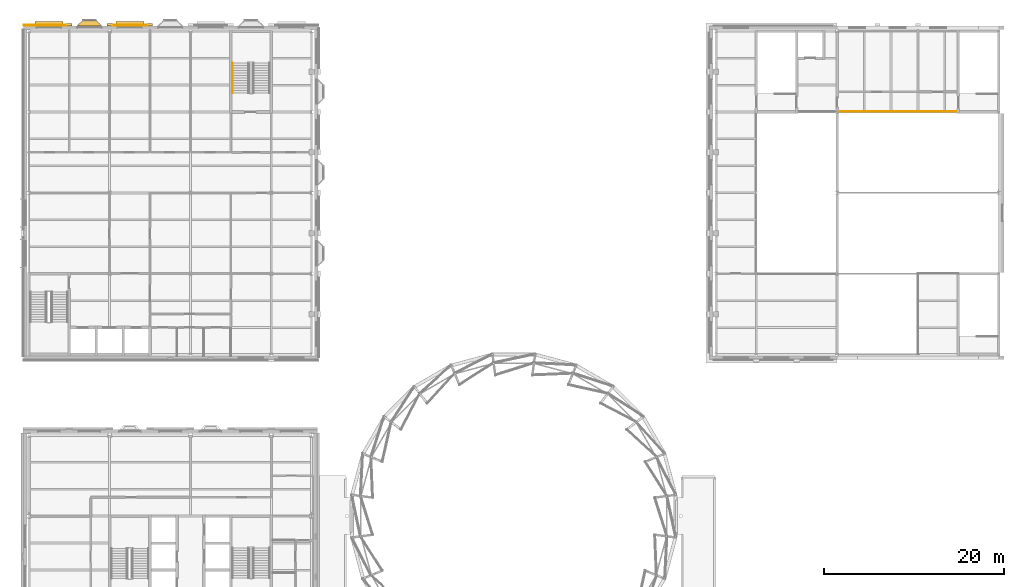
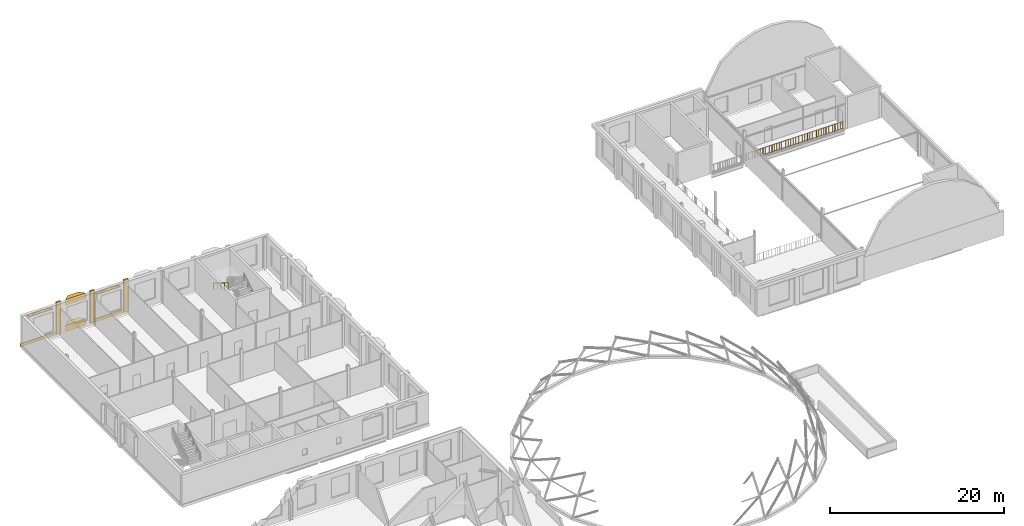
# One storey, part 57 of 59: 9 coverings, 2 railings, 2 shading devices.
"""IFC4 building model written with IfcOpenShell, lengths in metres."""

from ifc_helpers import new_model, si_unit, direction, frame, origin, origin_2d, place, context, subcontext, project, spatial, polyline, rectangle, circle, outline, extrude, material, layer, layer_set, type_object, element, save


model = new_model("IFC4")

# Units and contexts
model_context = context("Model", 3, precision=1e-05, world=origin(), true_north=direction((0.0, 1.0)))
body_context = subcontext(model_context, "Body", "Model", "MODEL_VIEW")
ifc_project = project(units=[si_unit("LENGTHUNIT", "METRE"), si_unit("AREAUNIT", "SQUARE_METRE"), si_unit("VOLUMEUNIT", "CUBIC_METRE"), si_unit("PLANEANGLEUNIT", "RADIAN"), si_unit("MASSUNIT", "GRAM", prefix="KILO")], contexts=[model_context])

# Site, building, storey
site_placement = place(None, origin())
site = spatial("IfcSite", under=ifc_project, at=site_placement, CompositionType="ELEMENT")
building_placement = place(site_placement, origin())
building = spatial("IfcBuilding", under=site, at=building_placement, Name="Hortulan Conservatory and Botanical Research Centre", CompositionType="ELEMENT")
storey_placement = place(building_placement, frame((0.0, 0.0, 10.5)))
storey = spatial("IfcBuildingStorey", under=building, at=storey_placement, Name="L02", CompositionType="ELEMENT", Elevation=10.5)

# Shading devices
ifc_material_1 = material(Name="Bronze-finished perforated aluminium", Category="aluminium")
ifc_layer_1 = layer(ifc_material_1, 0.06005859375)
ifc_layer_set_1 = layer_set([ifc_layer_1], Name="Catenary Hood 3100x500x60")
shading_device_type = type_object("IfcShadingDeviceType", Name="Catenary Hood 3100x500x60", PredefinedType="USERDEFINED", material=ifc_layer_set_1)
for number, where, z_axis, x_axis, name in (
    (1, (2.25, 72.83544921875, 3.7099609375), (0.0, 0.0, 1.0), (1.0, 0.0, 0.0), "Catenary hood"),
    (2, (11.25, 72.83544921875, 3.7099609375), (0.0, 0.0, 1.0), (1.0, 0.0, 0.0), "Catenary hood"),
):
    element("IfcShadingDevice", number, at=place(storey_placement, frame(where, z_axis=z_axis, x_axis=x_axis)), inside=storey, type_object=shading_device_type, Name=name, ObjectType="Catenary hood", PredefinedType="USERDEFINED", context=body_context, shape_type="SweptSolid", body=[
        extrude(rectangle(XDim=3.10009765625, YDim=0.5, at=origin_2d()), origin(), (0.0, 0.0, 1.0), 0.06005859375),
    ])

# Coverings
ifc_material_2 = material(Name="Faience cladding, waratah crimson glaze (non-combustible)", Category="ceramic")
ifc_layer_2 = layer(ifc_material_2, 0.030029296875)
ifc_layer_set_2 = layer_set([ifc_layer_2], Name="Faience Ogee Head Panel Crimson 2700x500")
covering_type_1 = type_object("IfcCoveringType", Name="Faience Ogee Head Panel Crimson 2700x500", PredefinedType="CLADDING", material=ifc_layer_set_2)
covering_1_placement = place(storey_placement, frame((9.89990234375, 72.6005859375, 3.820068359375), z_axis=(0.0, 0.0, 1.0), x_axis=(1.0, 0.0, 0.0)))
element("IfcCovering", 3, at=covering_1_placement, inside=storey, type_object=covering_type_1, Name="Ogee head panel", PredefinedType="CLADDING", context=body_context, shape_type="SweptSolid", body=[
    extrude(outline(polyline([(0.0, 0.0), (2.699951171875, 0.0), (2.699951171875, 0.079833984375), (2.58740234375, 0.1484375), (2.47509765625, 0.208251953125), (2.362548828125, 0.252197265625), (2.25, 0.278076171875), (2.137451171875, 0.28857421875), (2.02490234375, 0.2900390625), (1.91259765625, 0.291259765625), (1.800048828125, 0.3017578125), (1.6875, 0.32763671875), (1.574951171875, 0.371826171875), (1.46240234375, 0.431396484375), (1.35009765625, 0.5), (1.237548828125, 0.431396484375), (1.125, 0.371826171875), (1.012451171875, 0.32763671875), (0.89990234375, 0.3017578125), (0.78759765625, 0.291259765625), (0.675048828125, 0.2900390625), (0.5625, 0.28857421875), (0.449951171875, 0.278076171875), (0.33740234375, 0.252197265625), (0.22509765625, 0.208251953125), (0.112548828125, 0.1484375), (0.0, 0.079833984375), (0.0, 0.0)])), frame((0.0, 0.01513671875, 0.0), z_axis=(0.0, -1.0, 0.0), x_axis=(1.0, 0.0, 0.0)), (0.0, 0.0, 1.0), 0.030029296875),
])
ifc_material_3 = material(Name="Faience cladding, harbour teal glaze (non-combustible)", Category="ceramic")
ifc_layer_3 = layer(ifc_material_3, 0.030029296875)
ifc_layer_set_3 = layer_set([ifc_layer_3], Name="Faience Ogee Head Panel Teal 2700x500")
covering_type_2 = type_object("IfcCoveringType", Name="Faience Ogee Head Panel Teal 2700x500", PredefinedType="CLADDING", material=ifc_layer_set_3)
covering_2_placement = place(storey_placement, frame((0.89990234375, 72.6005859375, 3.820068359375), z_axis=(0.0, 0.0, 1.0), x_axis=(1.0, 0.0, 0.0)))
element("IfcCovering", 4, at=covering_2_placement, inside=storey, type_object=covering_type_2, Name="Ogee head panel", PredefinedType="CLADDING", context=body_context, shape_type="SweptSolid", body=[
    extrude(outline(polyline([(0.0, 0.0), (2.699951171875, 0.0), (2.699951171875, 0.079833984375), (2.58740234375, 0.1484375), (2.47509765625, 0.208251953125), (2.362548828125, 0.252197265625), (2.25, 0.278076171875), (2.137451171875, 0.28857421875), (2.02490234375, 0.2900390625), (1.91259765625, 0.291259765625), (1.800048828125, 0.3017578125), (1.6875, 0.32763671875), (1.574951171875, 0.371826171875), (1.46240234375, 0.431396484375), (1.35009765625, 0.5), (1.237548828125, 0.431396484375), (1.125, 0.371826171875), (1.012451171875, 0.32763671875), (0.89990234375, 0.3017578125), (0.78759765625, 0.291259765625), (0.675048828125, 0.2900390625), (0.5625, 0.28857421875), (0.449951171875, 0.278076171875), (0.33740234375, 0.252197265625), (0.22509765625, 0.208251953125), (0.112548828125, 0.1484375), (0.0, 0.079833984375), (0.0, 0.0)])), frame((0.0, 0.01513671875, 0.0), z_axis=(0.0, -1.0, 0.0), x_axis=(1.0, 0.0, 0.0)), (0.0, 0.0, 1.0), 0.030029296875),
])
ifc_material_4 = material(Name="Faience-faced brickwork masonry", Category="masonry")
covering_type_3 = type_object("IfcCoveringType", Name="Faience Oriel Base", PredefinedType="CLADDING", material=ifc_material_4)
covering_3_placement = place(storey_placement, origin())
element("IfcCovering", 5, at=covering_3_placement, inside=storey, type_object=covering_type_3, Name="Oriel base", PredefinedType="CLADDING", context=body_context, shape_type="SweptSolid", body=[
    extrude(outline(polyline([(5.39990234375, 72.58544921875), (6.0, 73.185546875), (7.5, 73.185546875), (8.10009765625, 72.58544921875), (5.39990234375, 72.58544921875)])), origin(), (0.0, 0.0, 1.0), 0.89990234375),
])
covering_type_4 = type_object("IfcCoveringType", Name="Faience Oriel Frieze", PredefinedType="CLADDING", material=ifc_material_4)
covering_4_placement = place(storey_placement, frame((0.0, 0.0, 3.699951171875)))
element("IfcCovering", 6, at=covering_4_placement, inside=storey, type_object=covering_type_4, Name="Oriel frieze", PredefinedType="CLADDING", context=body_context, shape_type="SweptSolid", body=[
    extrude(outline(polyline([(5.39990234375, 72.58544921875), (6.0, 73.185546875), (7.5, 73.185546875), (8.10009765625, 72.58544921875), (5.39990234375, 72.58544921875)])), origin(), (0.0, 0.0, 1.0), 0.800048828125),
])
ifc_material_5 = material(Name="Faience cladding, cream glaze (non-combustible)", Category="ceramic")
ifc_layer_4 = layer(ifc_material_5, 0.25)
ifc_layer_set_4 = layer_set([ifc_layer_4], Name="Faience Pilaster 600x250")
covering_type_5 = type_object("IfcCoveringType", Name="Faience Pilaster 600x250", PredefinedType="CLADDING", material=ifc_layer_set_4)
for number, where, z_axis, x_axis, name in (
    (7, (4.5, 72.71044921875, 0.0), (0.0, 0.0, 1.0), (1.0, 0.0, 0.0), "Pier"),
    (8, (9.0, 72.71044921875, 0.0), (0.0, 0.0, 1.0), (1.0, 0.0, 0.0), "Pier"),
    (9, (13.5, 72.71044921875, 0.0), (0.0, 0.0, 1.0), (1.0, 0.0, 0.0), "Pier"),
):
    element("IfcCovering", number, at=place(storey_placement, frame(where, z_axis=z_axis, x_axis=x_axis)), inside=storey, type_object=covering_type_5, Name=name, PredefinedType="CLADDING", context=body_context, shape_type="SweptSolid", body=[
        extrude(rectangle(XDim=0.60009765625, YDim=0.25, at=origin_2d()), origin(), (0.0, 0.0, 1.0), 4.5),
    ])
ifc_layer_5 = layer(ifc_material_3, 0.10009765625)
ifc_layer_set_5 = layer_set([ifc_layer_5], Name="Faience String Course 400x100 Teal")
covering_type_6 = type_object("IfcCoveringType", Name="Faience String Course 400x100 Teal", PredefinedType="CLADDING", material=ifc_layer_set_5)
covering_5_placement = place(storey_placement, frame((1.80029296875, 72.635498046875, 0.0), z_axis=(0.0, 0.0, 1.0), x_axis=(1.0, 0.0, 0.0)))
element("IfcCovering", 10, at=covering_5_placement, inside=storey, type_object=covering_type_6, Name="String course", PredefinedType="CLADDING", context=body_context, shape_type="SweptSolid", body=[
    extrude(rectangle(XDim=4.759521484375, YDim=0.10009765625, at=origin_2d()), origin(), (0.0, 0.0, 1.0), 0.39990234375),
])
covering_6_placement = place(storey_placement, frame((11.25, 72.635498046875, 0.0), z_axis=(0.0, 0.0, 1.0), x_axis=(1.0, 0.0, 0.0)))
element("IfcCovering", 11, at=covering_6_placement, inside=storey, type_object=covering_type_6, Name="String course", PredefinedType="CLADDING", context=body_context, shape_type="SweptSolid", body=[
    extrude(rectangle(XDim=3.860107421875, YDim=0.10009765625, at=origin_2d()), origin(), (0.0, 0.0, 1.0), 0.39990234375),
])

# Railings
ifc_material_6 = material(Name="Wrought iron guard, bronze-charcoal paint", Category="metal")
railing_type_1 = type_object("IfcRailingType", Name="Ironwork Void Guard 1100", PredefinedType="GUARDRAIL", material=ifc_material_6)
railing_1_placement = place(storey_placement, frame((90.19677734375, 63.06005859375, 0.0)))
element("IfcRailing", 12, at=railing_1_placement, inside=storey, type_object=railing_type_1, Name="Guard L02 Aud Hall L02 1 11", PredefinedType="GUARDRAIL", context=body_context, shape_type="SweptSolid", body=[
    extrude(circle(Radius=0.02392578125, at=origin_2d()), frame((0.0, 0.0, 1.076171875), z_axis=(1.0, 0.0, 0.0), x_axis=(0.0, 1.0, 0.0)), (0.0, 0.0, 1.0), 13.033203125),
    extrude(circle(Radius=0.02392578125, at=origin_2d()), frame((0.0, 0.0, 0.1240234375), z_axis=(1.0, 0.0, 0.0), x_axis=(0.0, 1.0, 0.0)), (0.0, 0.0, 1.0), 13.033203125),
    extrude(circle(Radius=0.008056640625, at=origin_2d()), frame((0.109619140625, 0.0, 0.148193359375)), (0.0, 0.0, 1.0), 0.90380859375),
    extrude(circle(Radius=0.008056640625, at=origin_2d()), frame((0.218994140625, 0.0, 0.148193359375)), (0.0, 0.0, 1.0), 0.90380859375),
    extrude(circle(Radius=0.008056640625, at=origin_2d()), frame((0.32861328125, 0.0, 0.148193359375)), (0.0, 0.0, 1.0), 0.90380859375),
    extrude(circle(Radius=0.008056640625, at=origin_2d()), frame((0.43798828125, 0.0, 0.148193359375)), (0.0, 0.0, 1.0), 0.90380859375),
    extrude(circle(Radius=0.008056640625, at=origin_2d()), frame((0.547607421875, 0.0, 0.148193359375)), (0.0, 0.0, 1.0), 0.90380859375),
    extrude(circle(Radius=0.008056640625, at=origin_2d()), frame((0.6572265625, 0.0, 0.148193359375)), (0.0, 0.0, 1.0), 0.90380859375),
    extrude(circle(Radius=0.008056640625, at=origin_2d()), frame((0.7666015625, 0.0, 0.148193359375)), (0.0, 0.0, 1.0), 0.90380859375),
    extrude(circle(Radius=0.008056640625, at=origin_2d()), frame((0.876220703125, 0.0, 0.148193359375)), (0.0, 0.0, 1.0), 0.90380859375),
    extrude(circle(Radius=0.008056640625, at=origin_2d()), frame((0.985595703125, 0.0, 0.148193359375)), (0.0, 0.0, 1.0), 0.90380859375),
    extrude(circle(Radius=0.008056640625, at=origin_2d()), frame((1.09521484375, 0.0, 0.148193359375)), (0.0, 0.0, 1.0), 0.90380859375),
    extrude(circle(Radius=0.008056640625, at=origin_2d()), frame((1.204833984375, 0.0, 0.148193359375)), (0.0, 0.0, 1.0), 0.90380859375),
    extrude(circle(Radius=0.008056640625, at=origin_2d()), frame((1.314208984375, 0.0, 0.148193359375)), (0.0, 0.0, 1.0), 0.90380859375),
    extrude(circle(Radius=0.008056640625, at=origin_2d()), frame((1.423828125, 0.0, 0.148193359375)), (0.0, 0.0, 1.0), 0.90380859375),
    extrude(circle(Radius=0.008056640625, at=origin_2d()), frame((1.533203125, 0.0, 0.148193359375)), (0.0, 0.0, 1.0), 0.90380859375),
    extrude(circle(Radius=0.008056640625, at=origin_2d()), frame((1.642822265625, 0.0, 0.148193359375)), (0.0, 0.0, 1.0), 0.90380859375),
    extrude(circle(Radius=0.008056640625, at=origin_2d()), frame((1.75244140625, 0.0, 0.148193359375)), (0.0, 0.0, 1.0), 0.90380859375),
    extrude(circle(Radius=0.008056640625, at=origin_2d()), frame((1.86181640625, 0.0, 0.148193359375)), (0.0, 0.0, 1.0), 0.90380859375),
    extrude(circle(Radius=0.008056640625, at=origin_2d()), frame((1.971435546875, 0.0, 0.148193359375)), (0.0, 0.0, 1.0), 0.90380859375),
    extrude(circle(Radius=0.008056640625, at=origin_2d()), frame((2.080810546875, 0.0, 0.148193359375)), (0.0, 0.0, 1.0), 0.90380859375),
    extrude(circle(Radius=0.008056640625, at=origin_2d()), frame((2.1904296875, 0.0, 0.148193359375)), (0.0, 0.0, 1.0), 0.90380859375),
    extrude(circle(Radius=0.008056640625, at=origin_2d()), frame((2.300048828125, 0.0, 0.148193359375)), (0.0, 0.0, 1.0), 0.90380859375),
    extrude(circle(Radius=0.008056640625, at=origin_2d()), frame((2.409423828125, 0.0, 0.148193359375)), (0.0, 0.0, 1.0), 0.90380859375),
    extrude(circle(Radius=0.008056640625, at=origin_2d()), frame((2.51904296875, 0.0, 0.148193359375)), (0.0, 0.0, 1.0), 0.90380859375),
    extrude(circle(Radius=0.008056640625, at=origin_2d()), frame((2.628662109375, 0.0, 0.148193359375)), (0.0, 0.0, 1.0), 0.90380859375),
    extrude(circle(Radius=0.008056640625, at=origin_2d()), frame((2.738037109375, 0.0, 0.148193359375)), (0.0, 0.0, 1.0), 0.90380859375),
    extrude(circle(Radius=0.008056640625, at=origin_2d()), frame((2.84765625, 0.0, 0.148193359375)), (0.0, 0.0, 1.0), 0.90380859375),
    extrude(circle(Radius=0.008056640625, at=origin_2d()), frame((2.95703125, 0.0, 0.148193359375)), (0.0, 0.0, 1.0), 0.90380859375),
    extrude(circle(Radius=0.008056640625, at=origin_2d()), frame((3.066650390625, 0.0, 0.148193359375)), (0.0, 0.0, 1.0), 0.90380859375),
    extrude(circle(Radius=0.008056640625, at=origin_2d()), frame((3.17626953125, 0.0, 0.148193359375)), (0.0, 0.0, 1.0), 0.90380859375),
    extrude(circle(Radius=0.008056640625, at=origin_2d()), frame((3.28564453125, 0.0, 0.148193359375)), (0.0, 0.0, 1.0), 0.90380859375),
    extrude(circle(Radius=0.008056640625, at=origin_2d()), frame((3.395263671875, 0.0, 0.148193359375)), (0.0, 0.0, 1.0), 0.90380859375),
    extrude(circle(Radius=0.008056640625, at=origin_2d()), frame((3.504638671875, 0.0, 0.148193359375)), (0.0, 0.0, 1.0), 0.90380859375),
    extrude(circle(Radius=0.008056640625, at=origin_2d()), frame((3.6142578125, 0.0, 0.148193359375)), (0.0, 0.0, 1.0), 0.90380859375),
    extrude(circle(Radius=0.008056640625, at=origin_2d()), frame((3.723876953125, 0.0, 0.148193359375)), (0.0, 0.0, 1.0), 0.90380859375),
    extrude(circle(Radius=0.008056640625, at=origin_2d()), frame((3.833251953125, 0.0, 0.148193359375)), (0.0, 0.0, 1.0), 0.90380859375),
    extrude(circle(Radius=0.008056640625, at=origin_2d()), frame((3.94287109375, 0.0, 0.148193359375)), (0.0, 0.0, 1.0), 0.90380859375),
    extrude(circle(Radius=0.008056640625, at=origin_2d()), frame((4.05224609375, 0.0, 0.148193359375)), (0.0, 0.0, 1.0), 0.90380859375),
    extrude(circle(Radius=0.008056640625, at=origin_2d()), frame((4.161865234375, 0.0, 0.148193359375)), (0.0, 0.0, 1.0), 0.90380859375),
    extrude(circle(Radius=0.008056640625, at=origin_2d()), frame((4.271484375, 0.0, 0.148193359375)), (0.0, 0.0, 1.0), 0.90380859375),
    extrude(circle(Radius=0.008056640625, at=origin_2d()), frame((4.380859375, 0.0, 0.148193359375)), (0.0, 0.0, 1.0), 0.90380859375),
    extrude(circle(Radius=0.008056640625, at=origin_2d()), frame((4.490478515625, 0.0, 0.148193359375)), (0.0, 0.0, 1.0), 0.90380859375),
    extrude(circle(Radius=0.008056640625, at=origin_2d()), frame((4.599853515625, 0.0, 0.148193359375)), (0.0, 0.0, 1.0), 0.90380859375),
    extrude(circle(Radius=0.008056640625, at=origin_2d()), frame((4.70947265625, 0.0, 0.148193359375)), (0.0, 0.0, 1.0), 0.90380859375),
    extrude(circle(Radius=0.008056640625, at=origin_2d()), frame((4.819091796875, 0.0, 0.148193359375)), (0.0, 0.0, 1.0), 0.90380859375),
    extrude(circle(Radius=0.008056640625, at=origin_2d()), frame((4.928466796875, 0.0, 0.148193359375)), (0.0, 0.0, 1.0), 0.90380859375),
    extrude(circle(Radius=0.008056640625, at=origin_2d()), frame((5.0380859375, 0.0, 0.148193359375)), (0.0, 0.0, 1.0), 0.90380859375),
    extrude(circle(Radius=0.008056640625, at=origin_2d()), frame((5.1474609375, 0.0, 0.148193359375)), (0.0, 0.0, 1.0), 0.90380859375),
    extrude(circle(Radius=0.008056640625, at=origin_2d()), frame((5.257080078125, 0.0, 0.148193359375)), (0.0, 0.0, 1.0), 0.90380859375),
    extrude(circle(Radius=0.008056640625, at=origin_2d()), frame((5.36669921875, 0.0, 0.148193359375)), (0.0, 0.0, 1.0), 0.90380859375),
    extrude(circle(Radius=0.008056640625, at=origin_2d()), frame((5.47607421875, 0.0, 0.148193359375)), (0.0, 0.0, 1.0), 0.90380859375),
    extrude(circle(Radius=0.008056640625, at=origin_2d()), frame((5.585693359375, 0.0, 0.148193359375)), (0.0, 0.0, 1.0), 0.90380859375),
    extrude(circle(Radius=0.008056640625, at=origin_2d()), frame((5.695068359375, 0.0, 0.148193359375)), (0.0, 0.0, 1.0), 0.90380859375),
    extrude(circle(Radius=0.008056640625, at=origin_2d()), frame((5.8046875, 0.0, 0.148193359375)), (0.0, 0.0, 1.0), 0.90380859375),
    extrude(circle(Radius=0.008056640625, at=origin_2d()), frame((5.914306640625, 0.0, 0.148193359375)), (0.0, 0.0, 1.0), 0.90380859375),
    extrude(circle(Radius=0.008056640625, at=origin_2d()), frame((6.023681640625, 0.0, 0.148193359375)), (0.0, 0.0, 1.0), 0.90380859375),
    extrude(circle(Radius=0.008056640625, at=origin_2d()), frame((6.13330078125, 0.0, 0.148193359375)), (0.0, 0.0, 1.0), 0.90380859375),
    extrude(circle(Radius=0.008056640625, at=origin_2d()), frame((6.24267578125, 0.0, 0.148193359375)), (0.0, 0.0, 1.0), 0.90380859375),
    extrude(circle(Radius=0.008056640625, at=origin_2d()), frame((6.352294921875, 0.0, 0.148193359375)), (0.0, 0.0, 1.0), 0.90380859375),
    extrude(circle(Radius=0.008056640625, at=origin_2d()), frame((6.4619140625, 0.0, 0.148193359375)), (0.0, 0.0, 1.0), 0.90380859375),
    extrude(circle(Radius=0.008056640625, at=origin_2d()), frame((6.5712890625, 0.0, 0.148193359375)), (0.0, 0.0, 1.0), 0.90380859375),
    extrude(circle(Radius=0.008056640625, at=origin_2d()), frame((6.680908203125, 0.0, 0.148193359375)), (0.0, 0.0, 1.0), 0.90380859375),
    extrude(circle(Radius=0.008056640625, at=origin_2d()), frame((6.79052734375, 0.0, 0.148193359375)), (0.0, 0.0, 1.0), 0.90380859375),
    extrude(circle(Radius=0.008056640625, at=origin_2d()), frame((6.89990234375, 0.0, 0.148193359375)), (0.0, 0.0, 1.0), 0.90380859375),
    extrude(circle(Radius=0.008056640625, at=origin_2d()), frame((7.009521484375, 0.0, 0.148193359375)), (0.0, 0.0, 1.0), 0.90380859375),
    extrude(circle(Radius=0.008056640625, at=origin_2d()), frame((7.118896484375, 0.0, 0.148193359375)), (0.0, 0.0, 1.0), 0.90380859375),
    extrude(circle(Radius=0.008056640625, at=origin_2d()), frame((7.228515625, 0.0, 0.148193359375)), (0.0, 0.0, 1.0), 0.90380859375),
    extrude(circle(Radius=0.008056640625, at=origin_2d()), frame((7.338134765625, 0.0, 0.148193359375)), (0.0, 0.0, 1.0), 0.90380859375),
    extrude(circle(Radius=0.008056640625, at=origin_2d()), frame((7.447509765625, 0.0, 0.148193359375)), (0.0, 0.0, 1.0), 0.90380859375),
    extrude(circle(Radius=0.008056640625, at=origin_2d()), frame((7.55712890625, 0.0, 0.148193359375)), (0.0, 0.0, 1.0), 0.90380859375),
    extrude(circle(Radius=0.008056640625, at=origin_2d()), frame((7.66650390625, 0.0, 0.148193359375)), (0.0, 0.0, 1.0), 0.90380859375),
    extrude(circle(Radius=0.008056640625, at=origin_2d()), frame((7.776123046875, 0.0, 0.148193359375)), (0.0, 0.0, 1.0), 0.90380859375),
    extrude(circle(Radius=0.008056640625, at=origin_2d()), frame((7.8857421875, 0.0, 0.148193359375)), (0.0, 0.0, 1.0), 0.90380859375),
    extrude(circle(Radius=0.008056640625, at=origin_2d()), frame((7.9951171875, 0.0, 0.148193359375)), (0.0, 0.0, 1.0), 0.90380859375),
    extrude(circle(Radius=0.008056640625, at=origin_2d()), frame((8.104736328125, 0.0, 0.148193359375)), (0.0, 0.0, 1.0), 0.90380859375),
    extrude(circle(Radius=0.008056640625, at=origin_2d()), frame((8.214111328125, 0.0, 0.148193359375)), (0.0, 0.0, 1.0), 0.90380859375),
    extrude(circle(Radius=0.008056640625, at=origin_2d()), frame((8.32373046875, 0.0, 0.148193359375)), (0.0, 0.0, 1.0), 0.90380859375),
    extrude(circle(Radius=0.008056640625, at=origin_2d()), frame((8.433349609375, 0.0, 0.148193359375)), (0.0, 0.0, 1.0), 0.90380859375),
    extrude(circle(Radius=0.008056640625, at=origin_2d()), frame((8.542724609375, 0.0, 0.148193359375)), (0.0, 0.0, 1.0), 0.90380859375),
    extrude(circle(Radius=0.008056640625, at=origin_2d()), frame((8.65234375, 0.0, 0.148193359375)), (0.0, 0.0, 1.0), 0.90380859375),
    extrude(circle(Radius=0.008056640625, at=origin_2d()), frame((8.76171875, 0.0, 0.148193359375)), (0.0, 0.0, 1.0), 0.90380859375),
    extrude(circle(Radius=0.008056640625, at=origin_2d()), frame((8.871337890625, 0.0, 0.148193359375)), (0.0, 0.0, 1.0), 0.90380859375),
    extrude(circle(Radius=0.008056640625, at=origin_2d()), frame((8.98095703125, 0.0, 0.148193359375)), (0.0, 0.0, 1.0), 0.90380859375),
    extrude(circle(Radius=0.008056640625, at=origin_2d()), frame((9.09033203125, 0.0, 0.148193359375)), (0.0, 0.0, 1.0), 0.90380859375),
    extrude(circle(Radius=0.008056640625, at=origin_2d()), frame((9.199951171875, 0.0, 0.148193359375)), (0.0, 0.0, 1.0), 0.90380859375),
    extrude(circle(Radius=0.008056640625, at=origin_2d()), frame((9.309326171875, 0.0, 0.148193359375)), (0.0, 0.0, 1.0), 0.90380859375),
    extrude(circle(Radius=0.008056640625, at=origin_2d()), frame((9.4189453125, 0.0, 0.148193359375)), (0.0, 0.0, 1.0), 0.90380859375),
    extrude(circle(Radius=0.008056640625, at=origin_2d()), frame((9.528564453125, 0.0, 0.148193359375)), (0.0, 0.0, 1.0), 0.90380859375),
    extrude(circle(Radius=0.008056640625, at=origin_2d()), frame((9.637939453125, 0.0, 0.148193359375)), (0.0, 0.0, 1.0), 0.90380859375),
    extrude(circle(Radius=0.008056640625, at=origin_2d()), frame((9.74755859375, 0.0, 0.148193359375)), (0.0, 0.0, 1.0), 0.90380859375),
    extrude(circle(Radius=0.008056640625, at=origin_2d()), frame((9.85693359375, 0.0, 0.148193359375)), (0.0, 0.0, 1.0), 0.90380859375),
    extrude(circle(Radius=0.008056640625, at=origin_2d()), frame((9.966552734375, 0.0, 0.148193359375)), (0.0, 0.0, 1.0), 0.90380859375),
    extrude(circle(Radius=0.008056640625, at=origin_2d()), frame((10.076171875, 0.0, 0.148193359375)), (0.0, 0.0, 1.0), 0.90380859375),
    extrude(circle(Radius=0.008056640625, at=origin_2d()), frame((10.185546875, 0.0, 0.148193359375)), (0.0, 0.0, 1.0), 0.90380859375),
    extrude(circle(Radius=0.008056640625, at=origin_2d()), frame((10.295166015625, 0.0, 0.148193359375)), (0.0, 0.0, 1.0), 0.90380859375),
    extrude(circle(Radius=0.008056640625, at=origin_2d()), frame((10.404541015625, 0.0, 0.148193359375)), (0.0, 0.0, 1.0), 0.90380859375),
    extrude(circle(Radius=0.008056640625, at=origin_2d()), frame((10.51416015625, 0.0, 0.148193359375)), (0.0, 0.0, 1.0), 0.90380859375),
    extrude(circle(Radius=0.008056640625, at=origin_2d()), frame((10.623779296875, 0.0, 0.148193359375)), (0.0, 0.0, 1.0), 0.90380859375),
    extrude(circle(Radius=0.008056640625, at=origin_2d()), frame((10.733154296875, 0.0, 0.148193359375)), (0.0, 0.0, 1.0), 0.90380859375),
    extrude(circle(Radius=0.008056640625, at=origin_2d()), frame((10.8427734375, 0.0, 0.148193359375)), (0.0, 0.0, 1.0), 0.90380859375),
    extrude(circle(Radius=0.008056640625, at=origin_2d()), frame((10.952392578125, 0.0, 0.148193359375)), (0.0, 0.0, 1.0), 0.90380859375),
    extrude(circle(Radius=0.008056640625, at=origin_2d()), frame((11.061767578125, 0.0, 0.148193359375)), (0.0, 0.0, 1.0), 0.90380859375),
    extrude(circle(Radius=0.008056640625, at=origin_2d()), frame((11.17138671875, 0.0, 0.148193359375)), (0.0, 0.0, 1.0), 0.90380859375),
    extrude(circle(Radius=0.008056640625, at=origin_2d()), frame((11.28076171875, 0.0, 0.148193359375)), (0.0, 0.0, 1.0), 0.90380859375),
    extrude(circle(Radius=0.008056640625, at=origin_2d()), frame((11.390380859375, 0.0, 0.148193359375)), (0.0, 0.0, 1.0), 0.90380859375),
    extrude(circle(Radius=0.008056640625, at=origin_2d()), frame((11.5, 0.0, 0.148193359375)), (0.0, 0.0, 1.0), 0.90380859375),
    extrude(circle(Radius=0.008056640625, at=origin_2d()), frame((11.609375, 0.0, 0.148193359375)), (0.0, 0.0, 1.0), 0.90380859375),
    extrude(circle(Radius=0.008056640625, at=origin_2d()), frame((11.718994140625, 0.0, 0.148193359375)), (0.0, 0.0, 1.0), 0.90380859375),
    extrude(circle(Radius=0.008056640625, at=origin_2d()), frame((11.828369140625, 0.0, 0.148193359375)), (0.0, 0.0, 1.0), 0.90380859375),
    extrude(circle(Radius=0.008056640625, at=origin_2d()), frame((11.93798828125, 0.0, 0.148193359375)), (0.0, 0.0, 1.0), 0.90380859375),
    extrude(circle(Radius=0.008056640625, at=origin_2d()), frame((12.047607421875, 0.0, 0.148193359375)), (0.0, 0.0, 1.0), 0.90380859375),
    extrude(circle(Radius=0.008056640625, at=origin_2d()), frame((12.156982421875, 0.0, 0.148193359375)), (0.0, 0.0, 1.0), 0.90380859375),
    extrude(circle(Radius=0.008056640625, at=origin_2d()), frame((12.2666015625, 0.0, 0.148193359375)), (0.0, 0.0, 1.0), 0.90380859375),
    extrude(circle(Radius=0.008056640625, at=origin_2d()), frame((12.3759765625, 0.0, 0.148193359375)), (0.0, 0.0, 1.0), 0.90380859375),
    extrude(circle(Radius=0.008056640625, at=origin_2d()), frame((12.485595703125, 0.0, 0.148193359375)), (0.0, 0.0, 1.0), 0.90380859375),
    extrude(circle(Radius=0.008056640625, at=origin_2d()), frame((12.59521484375, 0.0, 0.148193359375)), (0.0, 0.0, 1.0), 0.90380859375),
    extrude(circle(Radius=0.008056640625, at=origin_2d()), frame((12.70458984375, 0.0, 0.148193359375)), (0.0, 0.0, 1.0), 0.90380859375),
    extrude(circle(Radius=0.008056640625, at=origin_2d()), frame((12.814208984375, 0.0, 0.148193359375)), (0.0, 0.0, 1.0), 0.90380859375),
    extrude(circle(Radius=0.008056640625, at=origin_2d()), frame((12.923583984375, 0.0, 0.148193359375)), (0.0, 0.0, 1.0), 0.90380859375),
    extrude(circle(Radius=0.02099609375, at=origin_2d()), origin(), (0.0, 0.0, 1.0), 1.052001953125),
    extrude(circle(Radius=0.02099609375, at=origin_2d()), frame((1.184814453125, 0.0, 0.0)), (0.0, 0.0, 1.0), 1.052001953125),
    extrude(circle(Radius=0.02099609375, at=origin_2d()), frame((2.36962890625, 0.0, 0.0)), (0.0, 0.0, 1.0), 1.052001953125),
    extrude(circle(Radius=0.02099609375, at=origin_2d()), frame((3.554443359375, 0.0, 0.0)), (0.0, 0.0, 1.0), 1.052001953125),
    extrude(circle(Radius=0.02099609375, at=origin_2d()), frame((4.7392578125, 0.0, 0.0)), (0.0, 0.0, 1.0), 1.052001953125),
    extrude(circle(Radius=0.02099609375, at=origin_2d()), frame((5.924072265625, 0.0, 0.0)), (0.0, 0.0, 1.0), 1.052001953125),
    extrude(circle(Radius=0.02099609375, at=origin_2d()), frame((7.109130859375, 0.0, 0.0)), (0.0, 0.0, 1.0), 1.052001953125),
    extrude(circle(Radius=0.02099609375, at=origin_2d()), frame((8.2939453125, 0.0, 0.0)), (0.0, 0.0, 1.0), 1.052001953125),
    extrude(circle(Radius=0.02099609375, at=origin_2d()), frame((9.478759765625, 0.0, 0.0)), (0.0, 0.0, 1.0), 1.052001953125),
    extrude(circle(Radius=0.02099609375, at=origin_2d()), frame((10.66357421875, 0.0, 0.0)), (0.0, 0.0, 1.0), 1.052001953125),
    extrude(circle(Radius=0.02099609375, at=origin_2d()), frame((11.848388671875, 0.0, 0.0)), (0.0, 0.0, 1.0), 1.052001953125),
    extrude(circle(Radius=0.02099609375, at=origin_2d()), frame((13.033203125, 0.0, 0.0)), (0.0, 0.0, 1.0), 1.052001953125),
])
ifc_material_7 = material(Name="Bronze handrail, polished", Category="metal")
railing_type_2 = type_object("IfcRailingType", Name="Stair Handrail 900", PredefinedType="HANDRAIL", material=ifc_material_7)
railing_2_placement = place(storey_placement, frame((22.699951171875, 68.4599609375, 2.423095703125)))
element("IfcRailing", 13, at=railing_2_placement, inside=storey, type_object=railing_type_2, Name="Handrail V2 L02 stair 2", PredefinedType="HANDRAIL", context=body_context, shape_type="SweptSolid", body=[
    extrude(circle(Radius=0.02392578125, at=origin_2d()), frame((0.0, 0.0, 0.8759765625), z_axis=(0.0, -0.850606129759, 0.525803396734), x_axis=(1.0, 0.0, 0.0)), (0.0, 0.0, 1.0), 3.949951171875),
    extrude(circle(Radius=0.02099609375, at=origin_2d()), origin(), (0.0, 0.0, 1.0), 0.851806640625),
    extrude(circle(Radius=0.02099609375, at=origin_2d()), frame((0.0, -0.83984375, 0.519287109375)), (0.0, 0.0, 1.0), 0.851806640625),
    extrude(circle(Radius=0.02099609375, at=origin_2d()), frame((0.0, -1.679931640625, 1.03857421875)), (0.0, 0.0, 1.0), 0.851806640625),
    extrude(circle(Radius=0.02099609375, at=origin_2d()), frame((0.0, -2.52001953125, 1.5576171875)), (0.0, 0.0, 1.0), 0.851806640625),
    extrude(circle(Radius=0.02099609375, at=origin_2d()), frame((0.0, -3.35986328125, 2.076904296875)), (0.0, 0.0, 1.0), 0.851806640625),
])

save(model, "model.ifc")
